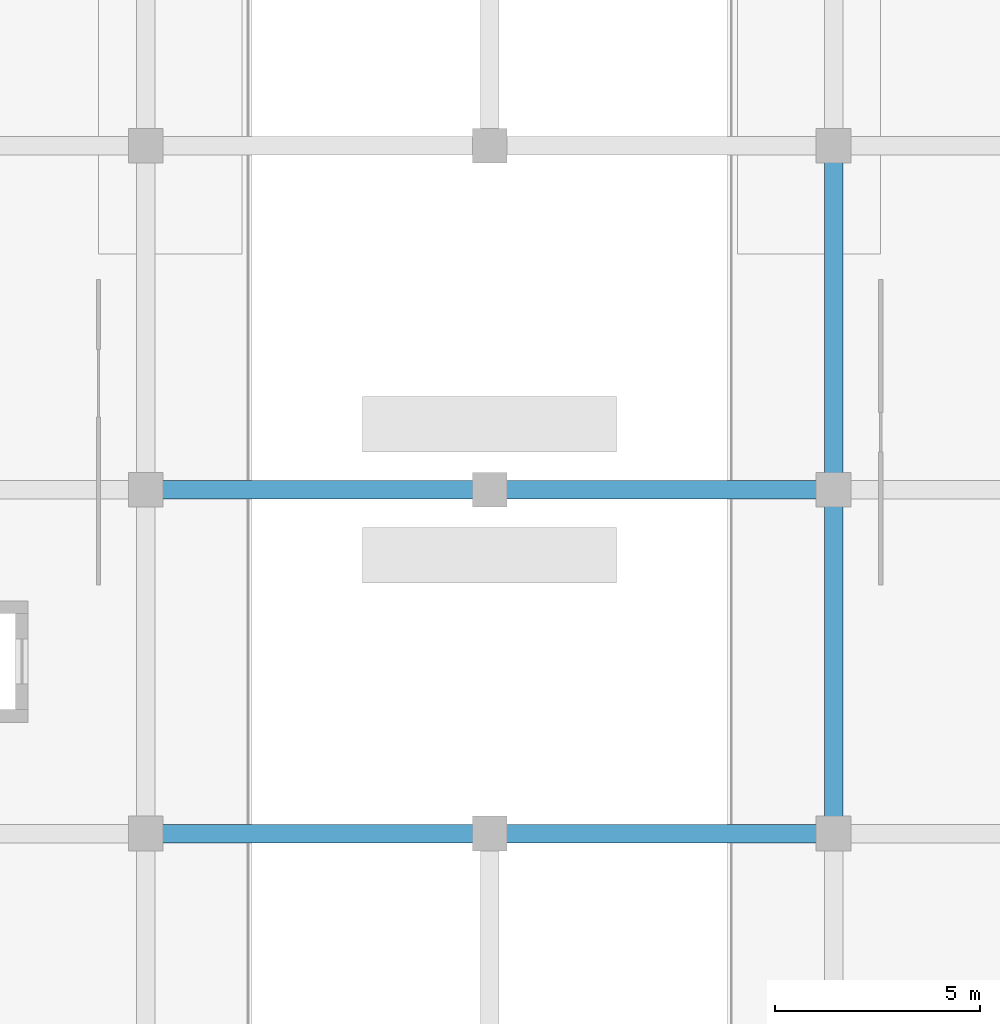
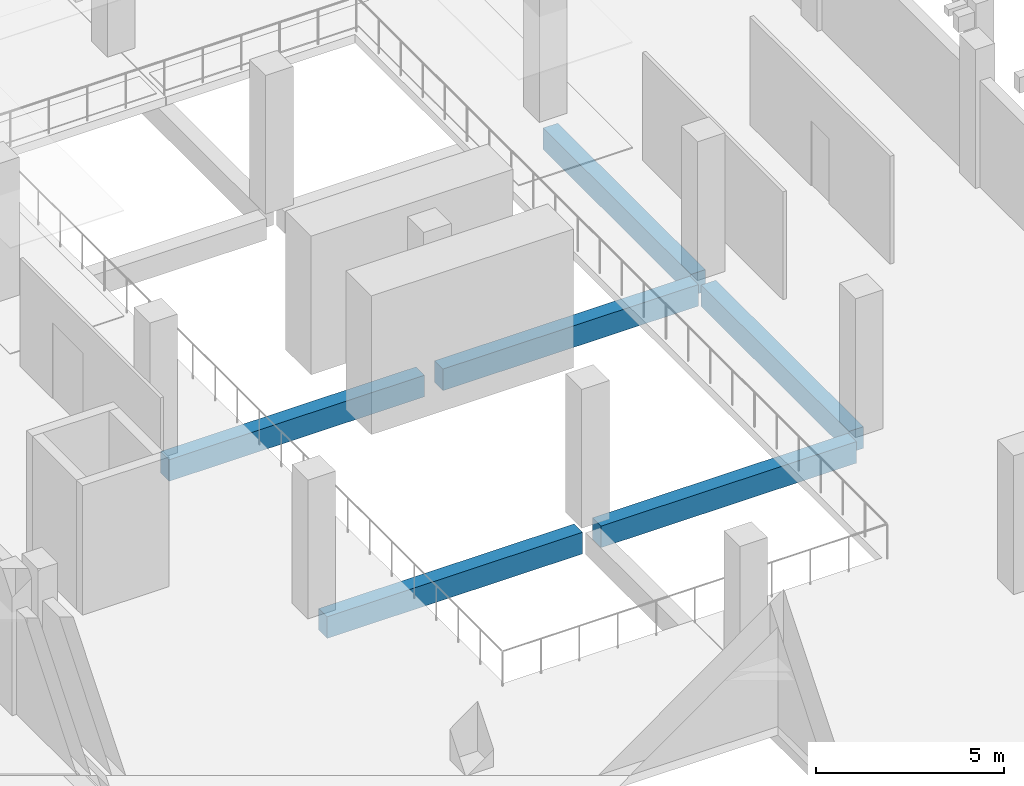
# One storey, part 36 of 137: 6 beams.
"""IFC4 building model written with IfcOpenShell, lengths in metres."""

import ifcopenshell
import ifcopenshell.guid

model = None  # the IFC model being written
_history = None  # IfcOwnerHistory: only IFC2X3 demands one
_inside = {}  # id of a spatial element -> (the spatial element, [elements in it])
_under = {}  # id of a project, library or spatial element -> (it, [spatial elements below it])
_declared = {}  # id of a project -> (the project, [libraries it declares])
_typed = {}  # id of a type object -> (the type object, [elements of that type])
_made_of = {}  # id of a material, layer set ... -> (it, [elements and type objects made of it])


def new_model(schema):
    """Start an empty IFC model of exactly this schema.

    Asked for "IFC4X3", IfcOpenShell would pick the latest addendum, in which some entities
    have other attributes; the version numbers below select the first issue.
    IFC2X3 requires an IfcOwnerHistory on every rooted entity: one is made here for all.
    """
    global model, _history
    if schema == "IFC4X3":
        model = ifcopenshell.file(schema_version=(4, 3, 0, 0))
    else:
        model = ifcopenshell.file(schema=schema)
    _inside.clear()
    _under.clear()
    _declared.clear()
    _typed.clear()
    _made_of.clear()
    _history = None
    if model.schema == "IFC2X3":
        org = make("IfcOrganization", Name="unknown")
        user = make(
            "IfcPersonAndOrganization",
            ThePerson=make("IfcPerson", FamilyName="unknown"),
            TheOrganization=org,
        )
        app = make(
            "IfcApplication",
            ApplicationDeveloper=org,
            Version="unknown",
            ApplicationFullName="unknown",
            ApplicationIdentifier="unknown",
        )
        _history = make(
            "IfcOwnerHistory",
            OwningUser=user,
            OwningApplication=app,
            ChangeAction="ADDED",
            CreationDate=0,
        )
    return model


def make(cls, **values):
    """One entity of the class cls with the attributes given. An attribute that is None is left unset."""
    return model.create_entity(
        cls, **{name: value for name, value in values.items() if value is not None}
    )


def rooted(cls, **values):
    """An entity with a GlobalId (a new one), such as an element, a storey or a relation."""
    return make(cls, GlobalId=ifcopenshell.guid.new(), OwnerHistory=_history, **values)


def si_unit(unit_type, name, prefix=None):
    """IfcSIUnit, for example si_unit("LENGTHUNIT", "METRE", prefix="MILLI")."""
    return make("IfcSIUnit", UnitType=unit_type, Prefix=prefix, Name=name)


def assignment(units):
    """IfcUnitAssignment: the units of a project."""
    return None if units is None else make("IfcUnitAssignment", Units=units)


def point(xyz):
    """IfcCartesianPoint."""
    return None if xyz is None else make("IfcCartesianPoint", Coordinates=xyz)


def direction(xyz):
    """IfcDirection."""
    return None if xyz is None else make("IfcDirection", DirectionRatios=xyz)


def frame(location, z_axis=None, x_axis=None):
    """IfcAxis2Placement3D, a coordinate frame: its origin and axes. An axis left out is left unset."""
    return make(
        "IfcAxis2Placement3D",
        Location=point(location),
        Axis=direction(z_axis),
        RefDirection=direction(x_axis),
    )


def frame_2d(location, x_axis=None):
    """IfcAxis2Placement2D, a coordinate frame in the plane: its origin and x axis."""
    return make(
        "IfcAxis2Placement2D", Location=point(location), RefDirection=direction(x_axis)
    )


def origin():
    """The frame at (0, 0, 0) with its axes left unset."""
    return frame((0.0, 0.0, 0.0))


def origin_2d():
    """The frame at (0, 0) in the plane with its x axis left unset."""
    return frame_2d((0.0, 0.0))


def place(relative_to, where):
    """IfcLocalPlacement: puts the frame where relative to a parent placement (None: the world)."""
    return make(
        "IfcLocalPlacement", PlacementRelTo=relative_to, RelativePlacement=where
    )


def context(
    kind, dimensions, precision=None, world=None, true_north=None, identifier=None
):
    """IfcGeometricRepresentationContext, for example the 3D "Model" context."""
    return make(
        "IfcGeometricRepresentationContext",
        ContextIdentifier=identifier,
        ContextType=kind,
        CoordinateSpaceDimension=dimensions,
        Precision=precision,
        WorldCoordinateSystem=world,
        TrueNorth=true_north,
    )


def subcontext(parent, identifier, kind, view, scale=None):
    """IfcGeometricRepresentationSubContext, for example "Body" below "Model"."""
    return make(
        "IfcGeometricRepresentationSubContext",
        ContextIdentifier=identifier,
        ContextType=kind,
        ParentContext=parent,
        TargetScale=scale,
        TargetView=view,
    )


def project(units=None, contexts=None):
    """IfcProject with its units and contexts."""
    return rooted(
        "IfcProject",
        Name="project",
        RepresentationContexts=contexts,
        UnitsInContext=assignment(units),
    )


def spatial(cls, under=None, at=None, **own):
    """A site, building, storey or space (cls), placed at a placement, below another one or the project."""
    s = rooted(cls, ObjectPlacement=at, **own)
    if under is not None:
        _under.setdefault(under.id(), (under, []))[1].append(s)
    return s


def profile(cls, at=None, kind="AREA", **sizes):
    """A parametric profile (cls). Its sizes go by their IFC names, for example OverallWidth=200.0."""
    return make(cls, ProfileType=kind, Position=at, **sizes)


def rectangle(**sizes):
    """IfcRectangleProfileDef."""
    return profile("IfcRectangleProfileDef", **sizes)


def extrude(swept, where, along, depth):
    """IfcExtrudedAreaSolid: the profile swept, set in the frame where, extruded along a direction by depth."""
    return make(
        "IfcExtrudedAreaSolid",
        SweptArea=swept,
        Position=where,
        ExtrudedDirection=direction(along),
        Depth=depth,
    )


def shape(context_of_items, identifier, shape_type, items):
    """IfcShapeRepresentation: the items that make up one representation, for example the "Body"."""
    return make(
        "IfcShapeRepresentation",
        ContextOfItems=context_of_items,
        RepresentationIdentifier=identifier,
        RepresentationType=shape_type,
        Items=items,
    )


def material(Name=None, Category=None):
    """IfcMaterial."""
    return make("IfcMaterial", Name=Name, Category=Category)


def material_profile(
    of_material, cross_section, Name=None, Category=None, Priority=None
):
    """IfcMaterialProfile: a cross section and its material."""
    return make(
        "IfcMaterialProfile",
        Name=Name,
        Material=of_material,
        Profile=cross_section,
        Priority=Priority,
        Category=Category,
    )


def profile_set(profiles, Name=None, composite=None):
    """IfcMaterialProfileSet."""
    return make(
        "IfcMaterialProfileSet",
        Name=Name,
        MaterialProfiles=profiles,
        CompositeProfile=composite,
    )


def made_of(thing, what):
    """Note that an element or type object is made of a material, layer set ...; save() writes the relation."""
    if what is not None:
        _made_of.setdefault(what.id(), (what, []))[1].append(thing)
    return thing


def type_object(cls, material=None, **own):
    """A type object (cls), such as IfcWallType, which elements share."""
    return made_of(rooted(cls, **own), material)


def element(
    cls,
    number,
    at=None,
    inside=None,
    cuts=None,
    type_object=None,
    material=None,
    context=None,
    identifier="Body",
    shape_type=None,
    held_by="IfcProductDefinitionShape",
    body=None,
    shapes=None,
    **own,
):
    """One element of the class cls, such as IfcWall. Its Tag is "e" and its number.

    at: its placement. inside: the storey or other place that contains it. cuts: it is an
    opening in that element (IfcRelVoidsElement). A single representation is given by context,
    identifier, shape_type and body (its items); several are given by shapes. held_by: the class
    of the entity that holds the representations. save() writes the other relations.
    """
    e = rooted(cls, Tag="e%d" % number, ObjectPlacement=at, **own)
    if body is not None:
        shapes = [shape(context, identifier, shape_type, body)]
    if shapes is not None:
        e.Representation = make(held_by, Representations=shapes)
    if inside is not None:
        _inside.setdefault(inside.id(), (inside, []))[1].append(e)
    if cuts is not None:
        rooted(
            "IfcRelVoidsElement", RelatingBuildingElement=cuts, RelatedOpeningElement=e
        )
    if type_object is not None:
        _typed.setdefault(type_object.id(), (type_object, []))[1].append(e)
    return made_of(e, material)


def aggregate(whole, parts):
    """IfcRelAggregates: a whole, such as a stair, and the parts it consists of."""
    return rooted("IfcRelAggregates", RelatingObject=whole, RelatedObjects=parts)


def save(model, path):
    """Write the relations noted so far, then the file.

    IfcRelAggregates (storeys below a building ...), IfcRelContainedInSpatialStructure (elements
    in a storey), IfcRelDefinesByType, IfcRelAssociatesMaterial and IfcRelDeclares: one each for
    every whole, place, type object, material and project.
    """
    for whole, parts in _under.values():
        aggregate(whole, parts)
    for where, things in _inside.values():
        rooted(
            "IfcRelContainedInSpatialStructure",
            RelatedElements=things,
            RelatingStructure=where,
        )
    for kind, things in _typed.values():
        rooted("IfcRelDefinesByType", RelatedObjects=things, RelatingType=kind)
    for what, things in _made_of.values():
        rooted("IfcRelAssociatesMaterial", RelatedObjects=things, RelatingMaterial=what)
    for by, libraries in _declared.values():
        rooted("IfcRelDeclares", RelatingContext=by, RelatedDefinitions=libraries)
    model.write(path)


model = new_model("IFC4")

# Units and contexts
model_context = context("Model", 3, precision=1e-05, world=origin(), true_north=direction((0.0, 1.0)))
body_context = subcontext(model_context, "Body", "Model", "MODEL_VIEW")
ifc_project = project(units=[si_unit("LENGTHUNIT", "METRE"), si_unit("AREAUNIT", "SQUARE_METRE"), si_unit("VOLUMEUNIT", "CUBIC_METRE"), si_unit("PLANEANGLEUNIT", "RADIAN"), si_unit("MASSUNIT", "GRAM", prefix="KILO")], contexts=[model_context])

# Site, building, storey
site_placement = place(None, origin())
site = spatial("IfcSite", under=ifc_project, at=site_placement, CompositionType="ELEMENT")
building_placement = place(site_placement, origin())
building = spatial("IfcBuilding", under=site, at=building_placement, Name="Xazarin Passage Department Store", CompositionType="ELEMENT")
storey_placement = place(building_placement, frame((0.0, 0.0, 5.39990234375)))
storey = spatial("IfcBuildingStorey", under=building, at=storey_placement, Name="L01", CompositionType="ELEMENT", Elevation=5.39990234375)

# Beams
ifc_material = material(Name="Concrete C35/45", Category="concrete")
ifc_material_profile = material_profile(ifc_material, rectangle(XDim=0.449951171875, YDim=0.699951171875, at=origin_2d()), Name="RC 450x700")
ifc_profile_set = profile_set([ifc_material_profile], Name="Concrete C35/45")
beam_type = type_object("IfcBeamType", Name="STR-BM-G450x700", PredefinedType="BEAM", material=ifc_profile_set)
beam_1_placement = place(storey_placement, frame((76.679931640625, 16.800048828125, -0.64990234375), z_axis=(1.0, 0.0, 0.0), x_axis=(0.0, 1.0, 0.0)))
element("IfcBeam", 1, at=beam_1_placement, inside=storey, type_object=beam_type, Name="L01 Grid Beam C/11-12", PredefinedType="BEAM", context=body_context, shape_type="SweptSolid", body=[
    extrude(rectangle(XDim=0.449951171875, YDim=0.699951171875, at=origin_2d()), origin(), (0.0, 0.0, 1.0), 7.840087890625),
])
beam_2_placement = place(storey_placement, frame((85.080078125, 16.800048828125, -0.64990234375), z_axis=(1.0, 0.0, 0.0), x_axis=(0.0, 1.0, 0.0)))
element("IfcBeam", 2, at=beam_2_placement, inside=storey, type_object=beam_type, Name="L01 Grid Beam C/12-13", PredefinedType="BEAM", context=body_context, shape_type="SweptSolid", body=[
    extrude(rectangle(XDim=0.449951171875, YDim=0.699951171875, at=origin_2d()), origin(), (0.0, 0.0, 1.0), 7.83984375),
])
beam_3_placement = place(storey_placement, frame((76.679931640625, 25.199951171875, -0.64990234375), z_axis=(1.0, 0.0, 0.0), x_axis=(0.0, 1.0, 0.0)))
element("IfcBeam", 3, at=beam_3_placement, inside=storey, type_object=beam_type, Name="L01 Grid Beam D/11-12", PredefinedType="BEAM", context=body_context, shape_type="SweptSolid", body=[
    extrude(rectangle(XDim=0.449951171875, YDim=0.699951171875, at=origin_2d()), origin(), (0.0, 0.0, 1.0), 7.840087890625),
])
for number, where, z_axis, x_axis, name in (
    (4, (85.080078125, 25.199951171875, -0.64990234375), (1.0, 0.0, 0.0), (0.0, 1.0, 0.0), "L01 Grid Beam D/12-13"),
    (5, (93.199951171875, 17.080078125, -0.64990234375), (0.0, 1.0, 0.0), (-1.0, 0.0, 0.0), "L01 Grid Beam 13/C-D"),
):
    element("IfcBeam", number, at=place(storey_placement, frame(where, z_axis=z_axis, x_axis=x_axis)), inside=storey, type_object=beam_type, Name=name, PredefinedType="BEAM", context=body_context, shape_type="SweptSolid", body=[
        extrude(rectangle(XDim=0.449951171875, YDim=0.699951171875, at=origin_2d()), origin(), (0.0, 0.0, 1.0), 7.83984375),
    ])
beam_4_placement = place(storey_placement, frame((93.199951171875, 25.47998046875, -0.64990234375), z_axis=(0.0, 1.0, 0.0), x_axis=(-1.0, 0.0, 0.0)))
element("IfcBeam", 6, at=beam_4_placement, inside=storey, type_object=beam_type, Name="L01 Grid Beam 13/D-E", PredefinedType="BEAM", context=body_context, shape_type="SweptSolid", body=[
    extrude(rectangle(XDim=0.449951171875, YDim=0.699951171875, at=origin_2d()), origin(), (0.0, 0.0, 1.0), 7.840087890625),
])

save(model, "model.ifc")
